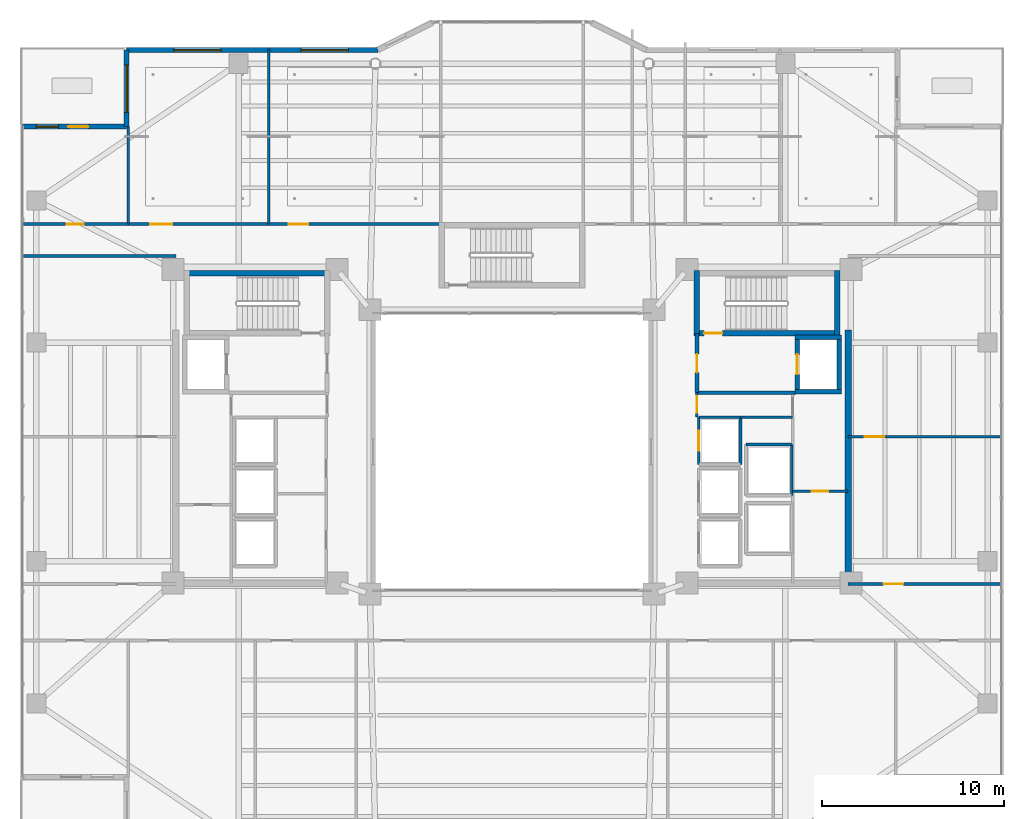
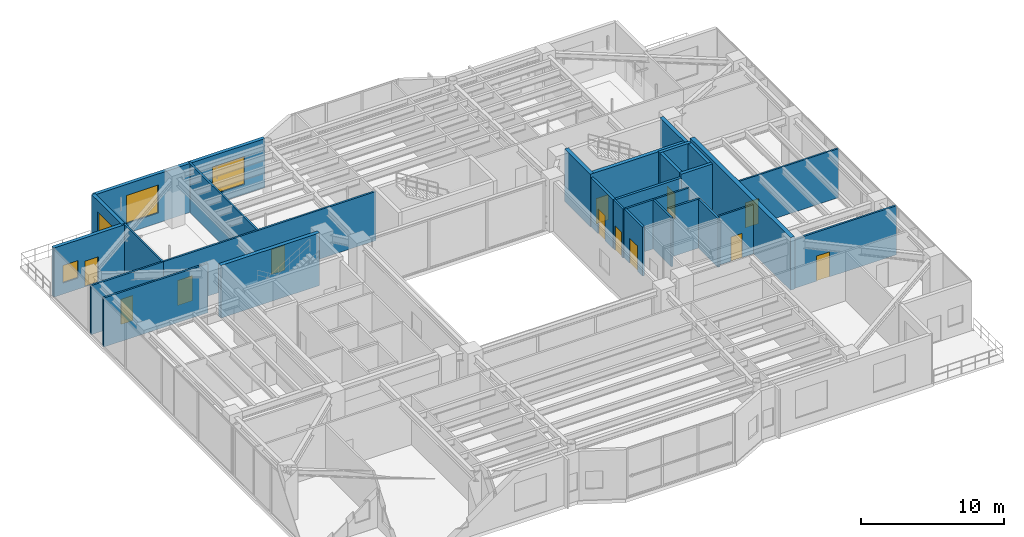
# One storey, part 29 of 37: 29 walls, 12 doors, 4 windows, 16 openings.
"""IFC4 building model written with IfcOpenShell, lengths in metres."""

from ifc_helpers import new_model, si_unit, direction, frame, frame_2d, origin, place, context, subcontext, project, spatial, rectangle, extrude, material, layer, layer_set, type_object, element, fill, save


model = new_model("IFC4")

# Units and contexts
model_context = context("Model", 3, precision=1e-05, world=origin(), true_north=direction((0.0, 1.0)))
body_context = subcontext(model_context, "Body", "Model", "MODEL_VIEW")
ifc_project = project(units=[si_unit("LENGTHUNIT", "METRE"), si_unit("AREAUNIT", "SQUARE_METRE"), si_unit("VOLUMEUNIT", "CUBIC_METRE"), si_unit("PLANEANGLEUNIT", "RADIAN"), si_unit("MASSUNIT", "GRAM", prefix="KILO")], contexts=[model_context])

# Site, building, storey
site_placement = place(None, origin())
site = spatial("IfcSite", under=ifc_project, at=site_placement, CompositionType="ELEMENT")
building_placement = place(site_placement, origin())
building = spatial("IfcBuilding", under=site, at=building_placement, Name="Tarnavaz Court Tower", CompositionType="ELEMENT")
storey_placement = place(building_placement, frame((0.0, 0.0, 118.5)))
storey = spatial("IfcBuildingStorey", under=building, at=storey_placement, Name="L32", CompositionType="ELEMENT", Elevation=118.5)

# Wall, opening, door
ifc_material_1 = material(Name="Concrete C60/75", Category="concrete")
ifc_layer_1 = layer(ifc_material_1, 0.25)
ifc_layer_set_1 = layer_set([ifc_layer_1], Name="Concrete C60/75")
wall_type_1 = type_object("IfcWallType", Name="WL-CORE-250-C60", PredefinedType="SHEAR", material=ifc_layer_set_1)
wall_1_placement = place(storey_placement, frame((15.64990234375, 3.175048828125, 0.0), z_axis=(0.0, 0.0, 1.0), x_axis=(0.0, 1.0, 0.0)))
wall_1 = element("IfcWall", 1, at=wall_1_placement, inside=storey, type_object=wall_type_1, Name="L32 Lift FL-E1 Shaft Wall 033", PredefinedType="SHEAR", context=body_context, shape_type="SweptSolid", body=[
    extrude(rectangle(XDim=3.25, YDim=0.25, at=frame_2d((1.625, 0.0))), origin(), (0.0, 0.0, 1.0), 4.5),
])
opening_1_placement = place(wall_1_placement, frame((1.074951171875, 0.0, 0.0)))
opening_1 = element("IfcOpeningElement", 2, at=opening_1_placement, cuts=wall_1, Name="Opening LD1", PredefinedType="OPENING", context=body_context, shape_type="SweptSolid", body=[
    extrude(rectangle(XDim=1.10009765625, YDim=2.14990234375, at=frame_2d((0.550048828125, 1.074951171875))), frame((0.0, 0.135009765625, 0.0), z_axis=(0.0, -1.0, 0.0), x_axis=(1.0, 0.0, 0.0)), (0.0, 0.0, 1.0), 0.27001953125),
])
ifc_material_2 = material(Name="Stainless Steel", Category="steel")
door_type_1 = type_object("IfcDoorType", Name="DR-LD-1100", OperationType="NOTDEFINED", PredefinedType="DOOR", material=ifc_material_2)
door_1_placement = place(opening_1_placement, origin())
door_1 = element("IfcDoor", 3, at=door_1_placement, inside=storey, type_object=door_type_1, Name="L32 Lift Landing Door LD-FL-E1", OperationType="SLIDING_TO_LEFT", OverallHeight=2.14990234375, OverallWidth=1.10009765625, PredefinedType="DOOR", context=body_context, shape_type="SweptSolid", body=[
    extrude(rectangle(XDim=1.10009765625, YDim=2.14990234375, at=frame_2d((0.550048828125, 1.074951171875))), frame((0.0, 0.02490234375, 0.0), z_axis=(0.0, -1.0, 0.0), x_axis=(1.0, 0.0, 0.0)), (0.0, 0.0, 1.0), 0.050048828125),
])
fill(opening_1, door_1)

# Walls
wall_2_placement = place(storey_placement, frame((17.949951171875, 3.175048828125, 0.0), z_axis=(0.0, 0.0, 1.0), x_axis=(0.0, 1.0, 0.0)))
element("IfcWall", 4, at=wall_2_placement, inside=storey, type_object=wall_type_1, Name="L32 Lift FL-E1 Shaft Wall 034", PredefinedType="SHEAR", context=body_context, shape_type="SweptSolid", body=[
    extrude(rectangle(XDim=3.25, YDim=0.25, at=frame_2d((1.625, 0.0))), origin(), (0.0, 0.0, 1.0), 4.5),
])
for number, where, z_axis, x_axis, name in (
    (5, (15.52490234375, 3.300048828125, 0.0), (0.0, 0.0, 1.0), (1.0, 0.0, 0.0), "L32 Lift FL-E1 Shaft Wall 035"),
    (6, (15.52490234375, 6.300048828125, 0.0), (0.0, 0.0, 1.0), (1.0, 0.0, 0.0), "L32 Lift FL-E1 Shaft Wall 036"),
):
    element("IfcWall", number, at=place(storey_placement, frame(where, z_axis=z_axis, x_axis=x_axis)), inside=storey, type_object=wall_type_1, Name=name, PredefinedType="SHEAR", context=body_context, shape_type="SweptSolid", body=[
        extrude(rectangle(XDim=2.550048828125, YDim=0.25, at=frame_2d((1.27490234375, 0.0))), origin(), (0.0, 0.0, 1.0), 4.5),
    ])
ifc_layer_2 = layer(ifc_material_1, 0.300048828125)
ifc_layer_set_2 = layer_set([ifc_layer_2], Name="Concrete C60/75")
wall_type_2 = type_object("IfcWallType", Name="WL-CORE-300-C60", PredefinedType="SHEAR", material=ifc_layer_set_2)
wall_3_placement = place(storey_placement, frame((-18.0, 9.7900390625, 0.0), z_axis=(0.0, 0.0, 1.0), x_axis=(1.0, 0.0, 0.0)))
element("IfcWall", 7, at=wall_3_placement, inside=storey, type_object=wall_type_2, Name="L32 West Stair Core Wall 001", PredefinedType="SHEAR", context=body_context, shape_type="SweptSolid", body=[
    extrude(rectangle(XDim=8.0, YDim=0.300048828125, at=frame_2d((4.0, 0.0))), origin(), (0.0, 0.0, 1.0), 4.5),
])

# Wall, opening, door
wall_4_placement = place(storey_placement, frame((10.0, 6.5, 0.0), z_axis=(0.0, 0.0, 1.0), x_axis=(1.0, 0.0, 0.0)))
wall_4 = element("IfcWall", 8, at=wall_4_placement, inside=storey, type_object=wall_type_2, Name="L32 East Stair Core Wall 006", PredefinedType="SHEAR", context=body_context, shape_type="SweptSolid", body=[
    extrude(rectangle(XDim=8.0, YDim=0.300048828125, at=frame_2d((4.0, 0.0))), origin(), (0.0, 0.0, 1.0), 4.5),
])
opening_2_placement = place(wall_4_placement, frame((0.550048828125, 0.0, 0.0)))
opening_2 = element("IfcOpeningElement", 9, at=opening_2_placement, cuts=wall_4, Name="Opening D01", PredefinedType="OPENING", context=body_context, shape_type="SweptSolid", body=[
    extrude(rectangle(XDim=1.0, YDim=2.14990234375, at=frame_2d((0.5, 1.074951171875))), frame((0.0, 0.159912109375, 0.0), z_axis=(0.0, -1.0, 0.0), x_axis=(1.0, 0.0, 0.0)), (0.0, 0.0, 1.0), 0.320068359375),
])
ifc_material_3 = material(Name="Fire-Rated Hardwood Timber Core", Category="wood")
door_type_2 = type_object("IfcDoorType", Name="DR-FD90-1000", OperationType="NOTDEFINED", PredefinedType="DOOR", material=ifc_material_3)
door_2_placement = place(opening_2_placement, origin())
door_2 = element("IfcDoor", 10, at=door_2_placement, inside=storey, type_object=door_type_2, Name="L32 Stair ST-E1 Exit Door", OperationType="SINGLE_SWING_RIGHT", OverallHeight=2.14990234375, OverallWidth=1.0, PredefinedType="DOOR", context=body_context, shape_type="SweptSolid", body=[
    extrude(rectangle(XDim=1.0, YDim=2.14990234375, at=frame_2d((0.5, 1.074951171875))), frame((0.0, 0.02490234375, 0.0), z_axis=(0.0, -1.0, 0.0), x_axis=(1.0, 0.0, 0.0)), (0.0, 0.0, 1.0), 0.050048828125),
])
fill(opening_2, door_2)

# Walls
for number, where, z_axis, x_axis, name in (
    (11, (10.14990234375, 6.35009765625, 0.0), (0.0, 0.0, 1.0), (0.0, 1.0, 0.0), "L32 East Stair Core Wall 007"),
    (12, (17.85009765625, 6.35009765625, 0.0), (0.0, 0.0, 1.0), (0.0, 1.0, 0.0), "L32 East Stair Core Wall 008"),
):
    element("IfcWall", number, at=place(storey_placement, frame(where, z_axis=z_axis, x_axis=x_axis)), inside=storey, type_object=wall_type_2, Name=name, PredefinedType="SHEAR", context=body_context, shape_type="SweptSolid", body=[
        extrude(rectangle(XDim=3.58984375, YDim=0.300048828125, at=frame_2d((1.794921875, 0.0))), origin(), (0.0, 0.0, 1.0), 4.5),
    ])
ifc_layer_3 = layer(ifc_material_1, 0.35009765625)
ifc_layer_set_3 = layer_set([ifc_layer_3], Name="Concrete C60/75")
wall_type_3 = type_object("IfcWallType", Name="WL-CORE-350-C60", PredefinedType="SHEAR", material=ifc_layer_set_3)
wall_5_placement = place(storey_placement, frame((18.449951171875, -7.375, 0.0), z_axis=(0.0, 0.0, 1.0), x_axis=(0.0, 1.0, 0.0)))
element("IfcWall", 13, at=wall_5_placement, inside=storey, type_object=wall_type_3, Name="L32 East Core Shear Wall 059", PredefinedType="SHEAR", context=body_context, shape_type="SweptSolid", body=[
    extrude(rectangle(XDim=14.050048828125, YDim=0.35009765625, at=frame_2d((7.02490234375, 0.0))), origin(), (0.0, 0.0, 1.0), 4.5),
])

# Wall, openings, door, window
ifc_material_4 = material(Name="Precast Concrete C40/50", Category="concrete")
ifc_layer_4 = layer(ifc_material_4, 0.280029296875)
ifc_layer_set_4 = layer_set([ifc_layer_4], Name="Precast Concrete C40/50")
wall_type_4 = type_object("IfcWallType", Name="WL-EXT-280", PredefinedType="SOLIDWALL", material=ifc_layer_set_4)
wall_6_placement = place(storey_placement, frame((-26.85009765625, 17.85009765625, 0.0), z_axis=(0.0, 0.0, 1.0), x_axis=(1.0, 0.0, 0.0)))
wall_6 = element("IfcWall", 14, at=wall_6_placement, inside=storey, type_object=wall_type_4, Name="L32 Exterior Terracotta Facade Wall 03", PredefinedType="SOLIDWALL", context=body_context, shape_type="SweptSolid", body=[
    extrude(rectangle(XDim=5.7001953125, YDim=0.280029296875, at=frame_2d((2.85009765625, 0.0))), origin(), (0.0, 0.0, 1.0), 4.199951171875),
])
opening_3_placement = place(wall_6_placement, frame((2.5, 0.0, 0.0)))
opening_3 = element("IfcOpeningElement", 15, at=opening_3_placement, cuts=wall_6, Name="Opening TD1", PredefinedType="OPENING", context=body_context, shape_type="SweptSolid", body=[
    extrude(rectangle(XDim=1.10009765625, YDim=2.199951171875, at=frame_2d((0.550048828125, 1.10009765625))), frame((0.0, 0.14990234375, 0.0), z_axis=(0.0, -1.0, 0.0), x_axis=(1.0, 0.0, 0.0)), (0.0, 0.0, 1.0), 0.300048828125),
])
opening_4_placement = place(wall_6_placement, frame((0.7548828125, 0.0, 0.949951171875)))
opening_4 = element("IfcOpeningElement", 16, at=opening_4_placement, cuts=wall_6, Name="Opening W05", PredefinedType="OPENING", context=body_context, shape_type="SweptSolid", body=[
    extrude(rectangle(XDim=1.199951171875, YDim=1.5, at=frame_2d((0.60009765625, 0.75))), frame((0.0, 0.14990234375, 0.0), z_axis=(0.0, -1.0, 0.0), x_axis=(1.0, 0.0, 0.0)), (0.0, 0.0, 1.0), 0.300048828125),
])
ifc_material_5 = material(Name="Thermally Broken Aluminium and Laminated Glass", Category="aluminium")
door_type_3 = type_object("IfcDoorType", Name="DR-TERR-1100", OperationType="NOTDEFINED", PredefinedType="DOOR", material=ifc_material_5)
door_3_placement = place(opening_3_placement, origin())
door_3 = element("IfcDoor", 17, at=door_3_placement, inside=storey, type_object=door_type_3, Name="L32 Sky Terrace Access Door 2", OperationType="SINGLE_SWING_RIGHT", OverallHeight=2.199951171875, OverallWidth=1.10009765625, PredefinedType="DOOR", context=body_context, shape_type="SweptSolid", body=[
    extrude(rectangle(XDim=1.10009765625, YDim=2.199951171875, at=frame_2d((0.550048828125, 1.10009765625))), frame((0.0, 0.02490234375, 0.0), z_axis=(0.0, -1.0, 0.0), x_axis=(1.0, 0.0, 0.0)), (0.0, 0.0, 1.0), 0.050048828125),
])
fill(opening_3, door_3)
ifc_material_6 = material(Name="Double-Glazed Solar Low-E Glass", Category="glass")
window_type_1 = type_object("IfcWindowType", Name="WN-APT-1200", PartitioningType="SINGLE_PANEL", PredefinedType="WINDOW", material=ifc_material_6)
window_1_placement = place(opening_4_placement, origin())
window_1 = element("IfcWindow", 18, at=window_1_placement, inside=storey, type_object=window_type_1, Name="L32 L32 NW Terrace Salon Window", OverallHeight=1.5, OverallWidth=1.199951171875, PartitioningType="SINGLE_PANEL", PredefinedType="WINDOW", context=body_context, shape_type="SweptSolid", body=[
    extrude(rectangle(XDim=1.199951171875, YDim=1.5, at=frame_2d((0.60009765625, 0.75))), frame((0.0, 0.030029296875, 0.0), z_axis=(0.0, -1.0, 0.0), x_axis=(1.0, 0.0, 0.0)), (0.0, 0.0, 1.0), 0.06005859375),
])
fill(opening_4, window_1)

# Wall, opening, window
wall_7_placement = place(storey_placement, frame((-21.14990234375, 17.85009765625, 0.0), z_axis=(0.0, 0.0, 1.0), x_axis=(0.0, 1.0, 0.0)))
wall_7 = element("IfcWall", 19, at=wall_7_placement, inside=storey, type_object=wall_type_4, Name="L32 Exterior Terracotta Facade Wall 04", PredefinedType="SOLIDWALL", context=body_context, shape_type="SweptSolid", body=[
    extrude(rectangle(XDim=4.199951171875, YDim=0.280029296875, at=frame_2d((2.10009765625, 0.0))), origin(), (0.0, 0.0, 1.0), 4.199951171875),
])
opening_5_placement = place(wall_7_placement, frame((0.7822265625, 0.0, 0.85009765625)))
opening_5 = element("IfcOpeningElement", 20, at=opening_5_placement, cuts=wall_7, Name="Opening W11", PredefinedType="OPENING", context=body_context, shape_type="SweptSolid", body=[
    extrude(rectangle(XDim=2.60009765625, YDim=2.39990234375, at=frame_2d((1.300048828125, 1.199951171875))), frame((0.0, 0.14990234375, 0.0), z_axis=(0.0, -1.0, 0.0), x_axis=(1.0, 0.0, 0.0)), (0.0, 0.0, 1.0), 0.300048828125),
])
window_type_2 = type_object("IfcWindowType", Name="WN-COM-2600", PartitioningType="TRIPLE_PANEL_VERTICAL", PredefinedType="WINDOW", material=ifc_material_6)
window_2_placement = place(opening_5_placement, origin())
window_2 = element("IfcWindow", 21, at=window_2_placement, inside=storey, type_object=window_type_2, Name="L32 L32 Community Banquet Assembly Hall Window", OverallHeight=2.39990234375, OverallWidth=2.60009765625, PartitioningType="SINGLE_PANEL", PredefinedType="WINDOW", context=body_context, shape_type="SweptSolid", body=[
    extrude(rectangle(XDim=2.60009765625, YDim=2.39990234375, at=frame_2d((1.300048828125, 1.199951171875))), frame((0.0, 0.030029296875, 0.0), z_axis=(0.0, -1.0, 0.0), x_axis=(1.0, 0.0, 0.0)), (0.0, 0.0, 1.0), 0.06005859375),
])
fill(opening_5, window_2)

# Wall, openings, windows
wall_8_placement = place(storey_placement, frame((-21.14990234375, 22.050048828125, 0.0), z_axis=(0.0, 0.0, 1.0), x_axis=(1.0, 0.0, 0.0)))
wall_8 = element("IfcWall", 22, at=wall_8_placement, inside=storey, type_object=wall_type_4, Name="L32 Exterior Terracotta Facade Wall 05", PredefinedType="SOLIDWALL", context=body_context, shape_type="SweptSolid", body=[
    extrude(rectangle(XDim=13.7998046875, YDim=0.280029296875, at=frame_2d((6.89990234375, 0.0))), origin(), (0.0, 0.0, 1.0), 4.199951171875),
])
opening_6_placement = place(wall_8_placement, frame((2.589111328125, 0.0, 0.85009765625)))
opening_6 = element("IfcOpeningElement", 23, at=opening_6_placement, cuts=wall_8, Name="Opening W11", PredefinedType="OPENING", context=body_context, shape_type="SweptSolid", body=[
    extrude(rectangle(XDim=2.60009765625, YDim=2.39990234375, at=frame_2d((1.300048828125, 1.199951171875))), frame((0.0, 0.14990234375, 0.0), z_axis=(0.0, -1.0, 0.0), x_axis=(1.0, 0.0, 0.0)), (0.0, 0.0, 1.0), 0.300048828125),
])
opening_7_placement = place(wall_8_placement, frame((9.564453125, 0.0, 0.85009765625)))
opening_7 = element("IfcOpeningElement", 24, at=opening_7_placement, cuts=wall_8, Name="Opening W11", PredefinedType="OPENING", context=body_context, shape_type="SweptSolid", body=[
    extrude(rectangle(XDim=2.60009765625, YDim=2.39990234375, at=frame_2d((1.300048828125, 1.199951171875))), frame((0.0, 0.14990234375, 0.0), z_axis=(0.0, -1.0, 0.0), x_axis=(1.0, 0.0, 0.0)), (0.0, 0.0, 1.0), 0.300048828125),
])
window_3_placement = place(opening_6_placement, origin())
window_3 = element("IfcWindow", 25, at=window_3_placement, inside=storey, type_object=window_type_2, Name="L32 L32 Community Banquet Assembly Hall Window", OverallHeight=2.39990234375, OverallWidth=2.60009765625, PartitioningType="SINGLE_PANEL", PredefinedType="WINDOW", context=body_context, shape_type="SweptSolid", body=[
    extrude(rectangle(XDim=2.60009765625, YDim=2.39990234375, at=frame_2d((1.300048828125, 1.199951171875))), frame((0.0, 0.030029296875, 0.0), z_axis=(0.0, -1.0, 0.0), x_axis=(1.0, 0.0, 0.0)), (0.0, 0.0, 1.0), 0.06005859375),
])
fill(opening_6, window_3)
window_4_placement = place(opening_7_placement, origin())
window_4 = element("IfcWindow", 26, at=window_4_placement, inside=storey, type_object=window_type_2, Name="L32 L32 Resident Study Library Window", OverallHeight=2.39990234375, OverallWidth=2.60009765625, PartitioningType="SINGLE_PANEL", PredefinedType="WINDOW", context=body_context, shape_type="SweptSolid", body=[
    extrude(rectangle(XDim=2.60009765625, YDim=2.39990234375, at=frame_2d((1.300048828125, 1.199951171875))), frame((0.0, 0.030029296875, 0.0), z_axis=(0.0, -1.0, 0.0), x_axis=(1.0, 0.0, 0.0)), (0.0, 0.0, 1.0), 0.06005859375),
])
fill(opening_7, window_4)

# Wall, openings, doors
ifc_material_7 = material(Name="Gypsum Fire-Board on Acoustic Metal Stud", Category="masonry")
ifc_layer_5 = layer(ifc_material_7, 0.14990234375)
ifc_layer_set_5 = layer_set([ifc_layer_5], Name="Gypsum Fire-Board on Acoustic Metal Stud")
wall_type_5 = type_object("IfcWallType", Name="WL-FIRE-150", PredefinedType="PARTITIONING", material=ifc_layer_set_5)
wall_9_placement = place(storey_placement, frame((-21.050048828125, 12.5, 0.0), z_axis=(0.0, 0.0, 1.0), x_axis=(1.0, 0.0, 0.0)))
wall_9 = element("IfcWall", 27, at=wall_9_placement, inside=storey, type_object=wall_type_5, Name="L32 NW Wing Corridor Wall 071", PredefinedType="PARTITIONING", context=body_context, shape_type="SweptSolid", body=[
    extrude(rectangle(XDim=17.199951171875, YDim=0.14990234375, at=frame_2d((8.60009765625, 0.0))), origin(), (0.0, 0.0, 1.0), 4.199951171875),
])
opening_8_placement = place(wall_9_placement, frame((1.199951171875, 0.0, 0.0)))
opening_8 = element("IfcOpeningElement", 28, at=opening_8_placement, cuts=wall_9, Name="Opening D11", PredefinedType="OPENING", context=body_context, shape_type="SweptSolid", body=[
    extrude(rectangle(XDim=1.199951171875, YDim=2.14990234375, at=frame_2d((0.60009765625, 1.074951171875))), frame((0.0, 0.0849609375, 0.0), z_axis=(0.0, -1.0, 0.0), x_axis=(1.0, 0.0, 0.0)), (0.0, 0.0, 1.0), 0.169921875),
])
opening_9_placement = place(wall_9_placement, frame((8.794921875, 0.0, 0.0)))
opening_9 = element("IfcOpeningElement", 29, at=opening_9_placement, cuts=wall_9, Name="Opening D12", PredefinedType="OPENING", context=body_context, shape_type="SweptSolid", body=[
    extrude(rectangle(XDim=1.080078125, YDim=2.14990234375, at=frame_2d((0.5400390625, 1.074951171875))), frame((0.0, 0.0849609375, 0.0), z_axis=(0.0, -1.0, 0.0), x_axis=(1.0, 0.0, 0.0)), (0.0, 0.0, 1.0), 0.169921875),
])
ifc_material_8 = material(Name="Engineered Oak Timber", Category="wood")
door_type_4 = type_object("IfcDoorType", Name="DR-INT-1100", OperationType="NOTDEFINED", PredefinedType="DOOR", material=ifc_material_8)
door_4_placement = place(opening_9_placement, origin())
door_4 = element("IfcDoor", 30, at=door_4_placement, inside=storey, type_object=door_type_4, Name="L32 L32 Resident Study Library Door", OperationType="SINGLE_SWING_RIGHT", OverallHeight=2.14990234375, OverallWidth=1.080078125, PredefinedType="DOOR", context=body_context, shape_type="SweptSolid", body=[
    extrude(rectangle(XDim=1.080078125, YDim=2.14990234375, at=frame_2d((0.5400390625, 1.074951171875))), frame((0.0, 0.02490234375, 0.0), z_axis=(0.0, -1.0, 0.0), x_axis=(1.0, 0.0, 0.0)), (0.0, 0.0, 1.0), 0.050048828125),
])
fill(opening_9, door_4)
door_type_5 = type_object("IfcDoorType", Name="DR-INT-1200", OperationType="NOTDEFINED", PredefinedType="DOOR", material=ifc_material_8)
door_5_placement = place(opening_8_placement, origin())
door_5 = element("IfcDoor", 31, at=door_5_placement, inside=storey, type_object=door_type_5, Name="L32 L32 Community Banquet Assembly Hall Door", OperationType="SINGLE_SWING_LEFT", OverallHeight=2.14990234375, OverallWidth=1.199951171875, PredefinedType="DOOR", context=body_context, shape_type="SweptSolid", body=[
    extrude(rectangle(XDim=1.199951171875, YDim=2.14990234375, at=frame_2d((0.60009765625, 1.074951171875))), frame((0.0, 0.02490234375, 0.0), z_axis=(0.0, -1.0, 0.0), x_axis=(1.0, 0.0, 0.0)), (0.0, 0.0, 1.0), 0.050048828125),
])
fill(opening_8, door_5)

# Wall, opening, door
wall_10_placement = place(storey_placement, frame((18.449951171875, -7.25, 0.0), z_axis=(0.0, 0.0, 1.0), x_axis=(1.0, 0.0, 0.0)))
wall_10 = element("IfcWall", 32, at=wall_10_placement, inside=storey, type_object=wall_type_5, Name="L32 Interior Partition 087", PredefinedType="PARTITIONING", context=body_context, shape_type="SweptSolid", body=[
    extrude(rectangle(XDim=8.429931640625, YDim=0.14990234375, at=frame_2d((4.21484375, 0.0))), origin(), (0.0, 0.0, 1.0), 4.199951171875),
])
opening_10_placement = place(wall_10_placement, frame((1.949951171875, 0.0, 0.0)))
opening_10 = element("IfcOpeningElement", 33, at=opening_10_placement, cuts=wall_10, Name="Opening D12", PredefinedType="OPENING", context=body_context, shape_type="SweptSolid", body=[
    extrude(rectangle(XDim=1.080078125, YDim=2.14990234375, at=frame_2d((0.5400390625, 1.074951171875))), frame((0.0, 0.0849609375, 0.0), z_axis=(0.0, -1.0, 0.0), x_axis=(1.0, 0.0, 0.0)), (0.0, 0.0, 1.0), 0.169921875),
])
door_6_placement = place(opening_10_placement, origin())
door_6 = element("IfcDoor", 34, at=door_6_placement, inside=storey, type_object=door_type_4, Name="L32 East Suite Room 1 Door", OperationType="SINGLE_SWING_RIGHT", OverallHeight=2.14990234375, OverallWidth=1.080078125, PredefinedType="DOOR", context=body_context, shape_type="SweptSolid", body=[
    extrude(rectangle(XDim=1.080078125, YDim=2.14990234375, at=frame_2d((0.5400390625, 1.074951171875))), frame((0.0, 0.02490234375, 0.0), z_axis=(0.0, -1.0, 0.0), x_axis=(1.0, 0.0, 0.0)), (0.0, 0.0, 1.0), 0.050048828125),
])
fill(opening_10, door_6)

# Wall
wall_11_placement = place(storey_placement, frame((-26.8798828125, 10.75, 0.0), z_axis=(0.0, 0.0, 1.0), x_axis=(1.0, 0.0, 0.0)))
element("IfcWall", 35, at=wall_11_placement, inside=storey, type_object=wall_type_5, Name="L32 Interior Partition 088", PredefinedType="PARTITIONING", context=body_context, shape_type="SweptSolid", body=[
    extrude(rectangle(XDim=8.429931640625, YDim=0.14990234375, at=frame_2d((4.21484375, 0.0))), origin(), (0.0, 0.0, 1.0), 4.199951171875),
])

# Wall, opening, door
wall_12_placement = place(storey_placement, frame((-26.8798828125, 12.5, 0.0), z_axis=(0.0, 0.0, 1.0), x_axis=(1.0, 0.0, 0.0)))
wall_12 = element("IfcWall", 36, at=wall_12_placement, inside=storey, type_object=wall_type_5, Name="L32 Interior Partition 094", PredefinedType="PARTITIONING", context=body_context, shape_type="SweptSolid", body=[
    extrude(rectangle(XDim=5.829833984375, YDim=0.14990234375, at=frame_2d((2.9150390625, 0.0))), origin(), (0.0, 0.0, 1.0), 4.199951171875),
])
opening_11_placement = place(wall_12_placement, frame((2.43994140625, 0.0, 0.0)))
opening_11 = element("IfcOpeningElement", 37, at=opening_11_placement, cuts=wall_12, Name="Opening D13", PredefinedType="OPENING", context=body_context, shape_type="SweptSolid", body=[
    extrude(rectangle(XDim=0.949951171875, YDim=2.14990234375, at=frame_2d((0.47509765625, 1.074951171875))), frame((0.0, 0.0849609375, 0.0), z_axis=(0.0, -1.0, 0.0), x_axis=(1.0, 0.0, 0.0)), (0.0, 0.0, 1.0), 0.169921875),
])
door_type_6 = type_object("IfcDoorType", Name="DR-INT-950", OperationType="NOTDEFINED", PredefinedType="DOOR", material=ifc_material_8)
door_7_placement = place(opening_11_placement, origin())
door_7 = element("IfcDoor", 38, at=door_7_placement, inside=storey, type_object=door_type_6, Name="L32 NW Terrace Salon Door", OperationType="SINGLE_SWING_RIGHT", OverallHeight=2.14990234375, OverallWidth=0.949951171875, PredefinedType="DOOR", context=body_context, shape_type="SweptSolid", body=[
    extrude(rectangle(XDim=0.949951171875, YDim=2.14990234375, at=frame_2d((0.47509765625, 1.074951171875))), frame((0.0, 0.02490234375, 0.0), z_axis=(0.0, -1.0, 0.0), x_axis=(1.0, 0.0, 0.0)), (0.0, 0.0, 1.0), 0.050048828125),
])
fill(opening_11, door_7)

# Wall
ifc_material_9 = material(Name="Autoclaved Aerated Concrete Blockwork", Category="masonry")
ifc_layer_6 = layer(ifc_material_9, 0.199951171875)
ifc_layer_set_6 = layer_set([ifc_layer_6], Name="Autoclaved Aerated Concrete Blockwork")
wall_type_6 = type_object("IfcWallType", Name="WL-FIRE-200", PredefinedType="SOLIDWALL", material=ifc_layer_set_6)
wall_13_placement = place(storey_placement, frame((10.14990234375, 3.25, 0.0), z_axis=(0.0, 0.0, 1.0), x_axis=(1.0, 0.0, 0.0)))
element("IfcWall", 39, at=wall_13_placement, inside=storey, type_object=wall_type_6, Name="L32 East Firefighting Lobby Wall 015", PredefinedType="SOLIDWALL", context=body_context, shape_type="SweptSolid", body=[
    extrude(rectangle(XDim=5.400146484375, YDim=0.199951171875, at=frame_2d((2.7001953125, 0.0))), origin(), (0.0, 0.0, 1.0), 4.199951171875),
])

# Wall, opening, door
wall_14_placement = place(storey_placement, frame((10.14990234375, 3.25, 0.0), z_axis=(0.0, 0.0, 1.0), x_axis=(0.0, 1.0, 0.0)))
wall_14 = element("IfcWall", 40, at=wall_14_placement, inside=storey, type_object=wall_type_6, Name="L32 East Firefighting Lobby Wall 016", PredefinedType="SOLIDWALL", context=body_context, shape_type="SweptSolid", body=[
    extrude(rectangle(XDim=3.25, YDim=0.199951171875, at=frame_2d((1.625, 0.0))), origin(), (0.0, 0.0, 1.0), 4.199951171875),
])
opening_12_placement = place(wall_14_placement, frame((1.10009765625, 0.0, 0.0)))
opening_12 = element("IfcOpeningElement", 41, at=opening_12_placement, cuts=wall_14, Name="Opening D05", PredefinedType="OPENING", context=body_context, shape_type="SweptSolid", body=[
    extrude(rectangle(XDim=1.02001953125, YDim=2.14990234375, at=frame_2d((0.510009765625, 1.074951171875))), frame((0.0, 0.10986328125, 0.0), z_axis=(0.0, -1.0, 0.0), x_axis=(1.0, 0.0, 0.0)), (0.0, 0.0, 1.0), 0.219970703125),
])
door_type_7 = type_object("IfcDoorType", Name="DR-FD60-1000", OperationType="NOTDEFINED", PredefinedType="DOOR", material=ifc_material_3)
door_8_placement = place(opening_12_placement, origin())
door_8 = element("IfcDoor", 42, at=door_8_placement, inside=storey, type_object=door_type_7, Name="L32 East Firefighting Lobby Door", OperationType="SINGLE_SWING_LEFT", OverallHeight=2.14990234375, OverallWidth=1.02001953125, PredefinedType="DOOR", context=body_context, shape_type="SweptSolid", body=[
    extrude(rectangle(XDim=1.02001953125, YDim=2.14990234375, at=frame_2d((0.510009765625, 1.074951171875))), frame((0.0, 0.02490234375, 0.0), z_axis=(0.0, -1.0, 0.0), x_axis=(1.0, 0.0, 0.0)), (0.0, 0.0, 1.0), 0.050048828125),
])
fill(opening_12, door_8)

# Wall
ifc_material_10 = material(Name="Gypsum Plasterboard Acoustic Partition", Category="masonry")
ifc_layer_7 = layer(ifc_material_10, 0.139892578125)
ifc_layer_set_7 = layer_set([ifc_layer_7], Name="Gypsum Plasterboard Acoustic Partition")
wall_type_7 = type_object("IfcWallType", Name="WL-PART-150", PredefinedType="PARTITIONING", material=ifc_layer_set_7)
wall_15_placement = place(storey_placement, frame((12.550048828125, 1.89990234375, 0.0), z_axis=(0.0, 0.0, 1.0), x_axis=(1.0, 0.0, 0.0)))
element("IfcWall", 43, at=wall_15_placement, inside=storey, type_object=wall_type_7, Name="L32 Interior Partition 067", PredefinedType="PARTITIONING", context=body_context, shape_type="SweptSolid", body=[
    extrude(rectangle(XDim=2.849853515625, YDim=0.139892578125, at=frame_2d((1.4248046875, 0.0))), origin(), (0.0, 0.0, 1.0), 4.199951171875),
])

# Wall, opening, door
wall_16_placement = place(storey_placement, frame((10.14990234375, 1.919921875, 0.0), z_axis=(0.0, 0.0, 1.0), x_axis=(0.0, 1.0, 0.0)))
wall_16 = element("IfcWall", 44, at=wall_16_placement, inside=storey, type_object=wall_type_7, Name="L32 Interior Partition 068", PredefinedType="PARTITIONING", context=body_context, shape_type="SweptSolid", body=[
    extrude(rectangle(XDim=1.330078125, YDim=0.139892578125, at=frame_2d((0.6650390625, 0.0))), origin(), (0.0, 0.0, 1.0), 4.199951171875),
])
opening_13_placement = place(wall_16_placement, frame((0.219970703125, 0.0, 0.0)))
opening_13 = element("IfcOpeningElement", 45, at=opening_13_placement, cuts=wall_16, Name="Opening D09", PredefinedType="OPENING", context=body_context, shape_type="SweptSolid", body=[
    extrude(rectangle(XDim=0.89990234375, YDim=2.080078125, at=frame_2d((0.449951171875, 1.0400390625))), frame((0.0, 0.079833984375, 0.0), z_axis=(0.0, -1.0, 0.0), x_axis=(1.0, 0.0, 0.0)), (0.0, 0.0, 1.0), 0.159912109375),
])
door_type_8 = type_object("IfcDoorType", Name="DR-FD30-900", OperationType="NOTDEFINED", PredefinedType="DOOR", material=ifc_material_3)
door_9_placement = place(opening_13_placement, origin())
door_9 = element("IfcDoor", 46, at=door_9_placement, inside=storey, type_object=door_type_8, Name="L32 East Core Service Lobby Door", OperationType="SINGLE_SWING_RIGHT", OverallHeight=2.080078125, OverallWidth=0.89990234375, PredefinedType="DOOR", context=body_context, shape_type="SweptSolid", body=[
    extrude(rectangle(XDim=0.89990234375, YDim=2.080078125, at=frame_2d((0.449951171875, 1.0400390625))), frame((0.0, 0.02490234375, 0.0), z_axis=(0.0, -1.0, 0.0), x_axis=(1.0, 0.0, 0.0)), (0.0, 0.0, 1.0), 0.050048828125),
])
fill(opening_13, door_9)

wall_17_placement = place(storey_placement, frame((15.39990234375, -2.14990234375, 0.0), z_axis=(0.0, 0.0, 1.0), x_axis=(1.0, 0.0, 0.0)))
wall_17 = element("IfcWall", 47, at=wall_17_placement, inside=storey, type_object=wall_type_7, Name="L32 Interior Partition 070", PredefinedType="PARTITIONING", context=body_context, shape_type="SweptSolid", body=[
    extrude(rectangle(XDim=3.050048828125, YDim=0.139892578125, at=frame_2d((1.52490234375, 0.0))), origin(), (0.0, 0.0, 1.0), 4.199951171875),
])
opening_14_placement = place(wall_17_placement, frame((1.050048828125, 0.0, 0.0)))
opening_14 = element("IfcOpeningElement", 48, at=opening_14_placement, cuts=wall_17, Name="Opening D09", PredefinedType="OPENING", context=body_context, shape_type="SweptSolid", body=[
    extrude(rectangle(XDim=0.89990234375, YDim=2.080078125, at=frame_2d((0.449951171875, 1.0400390625))), frame((0.0, 0.079833984375, 0.0), z_axis=(0.0, -1.0, 0.0), x_axis=(1.0, 0.0, 0.0)), (0.0, 0.0, 1.0), 0.159912109375),
])
door_10_placement = place(opening_14_placement, origin())
door_10 = element("IfcDoor", 49, at=door_10_placement, inside=storey, type_object=door_type_8, Name="L32 East Electrical Plant Door", OperationType="SINGLE_SWING_RIGHT", OverallHeight=2.080078125, OverallWidth=0.89990234375, PredefinedType="DOOR", context=body_context, shape_type="SweptSolid", body=[
    extrude(rectangle(XDim=0.89990234375, YDim=2.080078125, at=frame_2d((0.449951171875, 1.0400390625))), frame((0.0, 0.02490234375, 0.0), z_axis=(0.0, -1.0, 0.0), x_axis=(1.0, 0.0, 0.0)), (0.0, 0.0, 1.0), 0.050048828125),
])
fill(opening_14, door_10)

# Walls
wall_18_placement = place(storey_placement, frame((-13.35498046875, 12.5, 0.0), z_axis=(0.0, 0.0, 1.0), x_axis=(0.0, 1.0, 0.0)))
element("IfcWall", 50, at=wall_18_placement, inside=storey, type_object=wall_type_7, Name="L32 Interior Partition 077", PredefinedType="PARTITIONING", context=body_context, shape_type="SweptSolid", body=[
    extrude(rectangle(XDim=9.60009765625, YDim=0.139892578125, at=frame_2d((4.800048828125, 0.0))), origin(), (0.0, 0.0, 1.0), 4.199951171875),
])
wall_19_placement = place(storey_placement, frame((-21.050048828125, 12.5, 0.0), z_axis=(0.0, 0.0, 1.0), x_axis=(0.0, 1.0, 0.0)))
element("IfcWall", 51, at=wall_19_placement, inside=storey, type_object=wall_type_7, Name="L32 Interior Partition 092", PredefinedType="PARTITIONING", context=body_context, shape_type="SweptSolid", body=[
    extrude(rectangle(XDim=5.35009765625, YDim=0.139892578125, at=frame_2d((2.675048828125, 0.0))), origin(), (0.0, 0.0, 1.0), 4.199951171875),
])

# Wall, opening, door
wall_20_placement = place(storey_placement, frame((18.449951171875, 0.8291015625, 0.0), z_axis=(0.0, 0.0, 1.0), x_axis=(1.0, 0.0, 0.0)))
wall_20 = element("IfcWall", 52, at=wall_20_placement, inside=storey, type_object=wall_type_7, Name="L32 Interior Partition 099", PredefinedType="PARTITIONING", context=body_context, shape_type="SweptSolid", body=[
    extrude(rectangle(XDim=8.429931640625, YDim=0.139892578125, at=frame_2d((4.21484375, 0.0))), origin(), (0.0, 0.0, 1.0), 4.199951171875),
])
opening_15_placement = place(wall_20_placement, frame((0.89990234375, 0.0, 0.0)))
opening_15 = element("IfcOpeningElement", 53, at=opening_15_placement, cuts=wall_20, Name="Opening D12", PredefinedType="OPENING", context=body_context, shape_type="SweptSolid", body=[
    extrude(rectangle(XDim=1.080078125, YDim=2.14990234375, at=frame_2d((0.5400390625, 1.074951171875))), frame((0.0, 0.079833984375, 0.0), z_axis=(0.0, -1.0, 0.0), x_axis=(1.0, 0.0, 0.0)), (0.0, 0.0, 1.0), 0.159912109375),
])
door_11_placement = place(opening_15_placement, origin())
door_11 = element("IfcDoor", 54, at=door_11_placement, inside=storey, type_object=door_type_4, Name="L32 East Suite Room 2 Door", OperationType="SINGLE_SWING_LEFT", OverallHeight=2.14990234375, OverallWidth=1.080078125, PredefinedType="DOOR", context=body_context, shape_type="SweptSolid", body=[
    extrude(rectangle(XDim=1.080078125, YDim=2.14990234375, at=frame_2d((0.5400390625, 1.074951171875))), frame((0.0, 0.02490234375, 0.0), z_axis=(0.0, -1.0, 0.0), x_axis=(1.0, 0.0, 0.0)), (0.0, 0.0, 1.0), 0.050048828125),
])
fill(opening_15, door_11)

ifc_layer_8 = layer(ifc_material_9, 0.159912109375)
ifc_layer_set_8 = layer_set([ifc_layer_8], Name="Autoclaved Aerated Concrete Blockwork")
wall_type_8 = type_object("IfcWallType", Name="WL-SHAFT-150", PredefinedType="SOLIDWALL", material=ifc_layer_set_8)
wall_21_placement = place(storey_placement, frame((10.25, -0.699951171875, 0.0), z_axis=(0.0, 0.0, 1.0), x_axis=(0.0, 1.0, 0.0)))
wall_21 = element("IfcWall", 55, at=wall_21_placement, inside=storey, type_object=wall_type_8, Name="L32 Lift PL-M3 Shaft Wall 045", PredefinedType="SOLIDWALL", context=body_context, shape_type="SweptSolid", body=[
    extrude(rectangle(XDim=2.599853515625, YDim=0.159912109375, at=frame_2d((1.2998046875, 0.0))), origin(), (0.0, 0.0, 1.0), 4.199951171875),
])
opening_16_placement = place(wall_21_placement, frame((0.75, 0.0, 0.0)))
opening_16 = element("IfcOpeningElement", 56, at=opening_16_placement, cuts=wall_21, Name="Opening LD1", PredefinedType="OPENING", context=body_context, shape_type="SweptSolid", body=[
    extrude(rectangle(XDim=1.10009765625, YDim=2.14990234375, at=frame_2d((0.550048828125, 1.074951171875))), frame((0.0, 0.08984375, 0.0), z_axis=(0.0, -1.0, 0.0), x_axis=(1.0, 0.0, 0.0)), (0.0, 0.0, 1.0), 0.179931640625),
])
door_12_placement = place(opening_16_placement, origin())
door_12 = element("IfcDoor", 57, at=door_12_placement, inside=storey, type_object=door_type_1, Name="L32 Lift Landing Door LD-PL-M3", OperationType="SLIDING_TO_LEFT", OverallHeight=2.14990234375, OverallWidth=1.10009765625, PredefinedType="DOOR", context=body_context, shape_type="SweptSolid", body=[
    extrude(rectangle(XDim=1.10009765625, YDim=2.14990234375, at=frame_2d((0.550048828125, 1.074951171875))), frame((0.0, 0.02490234375, 0.0), z_axis=(0.0, -1.0, 0.0), x_axis=(1.0, 0.0, 0.0)), (0.0, 0.0, 1.0), 0.050048828125),
])
fill(opening_16, door_12)

# Walls
wall_22_placement = place(storey_placement, frame((12.550048828125, -0.699951171875, 0.0), z_axis=(0.0, 0.0, 1.0), x_axis=(0.0, 1.0, 0.0)))
element("IfcWall", 58, at=wall_22_placement, inside=storey, type_object=wall_type_8, Name="L32 Lift PL-M3 Shaft Wall 046", PredefinedType="SOLIDWALL", context=body_context, shape_type="SweptSolid", body=[
    extrude(rectangle(XDim=2.599853515625, YDim=0.159912109375, at=frame_2d((1.2998046875, 0.0))), origin(), (0.0, 0.0, 1.0), 4.199951171875),
])
wall_23_placement = place(storey_placement, frame((10.25, 1.89990234375, 0.0), z_axis=(0.0, 0.0, 1.0), x_axis=(1.0, 0.0, 0.0)))
element("IfcWall", 59, at=wall_23_placement, inside=storey, type_object=wall_type_8, Name="L32 Lift PL-M3 Shaft Wall 048", PredefinedType="SOLIDWALL", context=body_context, shape_type="SweptSolid", body=[
    extrude(rectangle(XDim=2.300048828125, YDim=0.159912109375, at=frame_2d((1.14990234375, 0.0))), origin(), (0.0, 0.0, 1.0), 4.199951171875),
])
wall_24_placement = place(storey_placement, frame((15.35009765625, -2.39990234375, 0.0), z_axis=(0.0, 0.0, 1.0), x_axis=(0.0, 1.0, 0.0)))
element("IfcWall", 60, at=wall_24_placement, inside=storey, type_object=wall_type_8, Name="L32 Lift PL-OB2 Shaft Wall 054", PredefinedType="SOLIDWALL", context=body_context, shape_type="SweptSolid", body=[
    extrude(rectangle(XDim=2.7998046875, YDim=0.159912109375, at=frame_2d((1.39990234375, 0.0))), origin(), (0.0, 0.0, 1.0), 4.199951171875),
])
wall_25_placement = place(storey_placement, frame((12.85009765625, 0.39990234375, 0.0), z_axis=(0.0, 0.0, 1.0), x_axis=(1.0, 0.0, 0.0)))
element("IfcWall", 61, at=wall_25_placement, inside=storey, type_object=wall_type_8, Name="L32 Lift PL-OB2 Shaft Wall 056", PredefinedType="SOLIDWALL", context=body_context, shape_type="SweptSolid", body=[
    extrude(rectangle(XDim=2.5, YDim=0.159912109375, at=frame_2d((1.25, 0.0))), origin(), (0.0, 0.0, 1.0), 4.199951171875),
])

save(model, "model.ifc")
